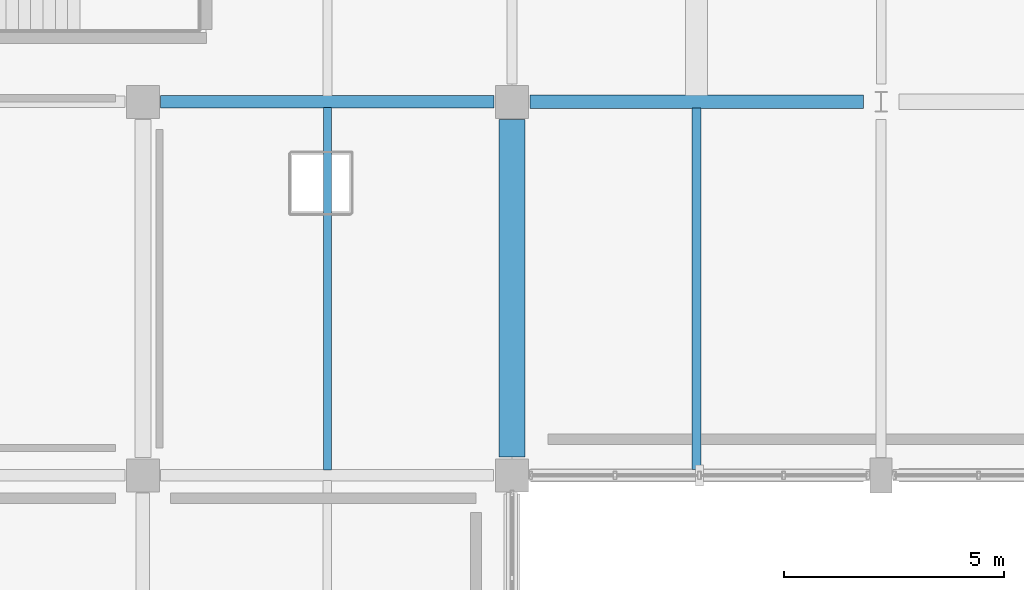
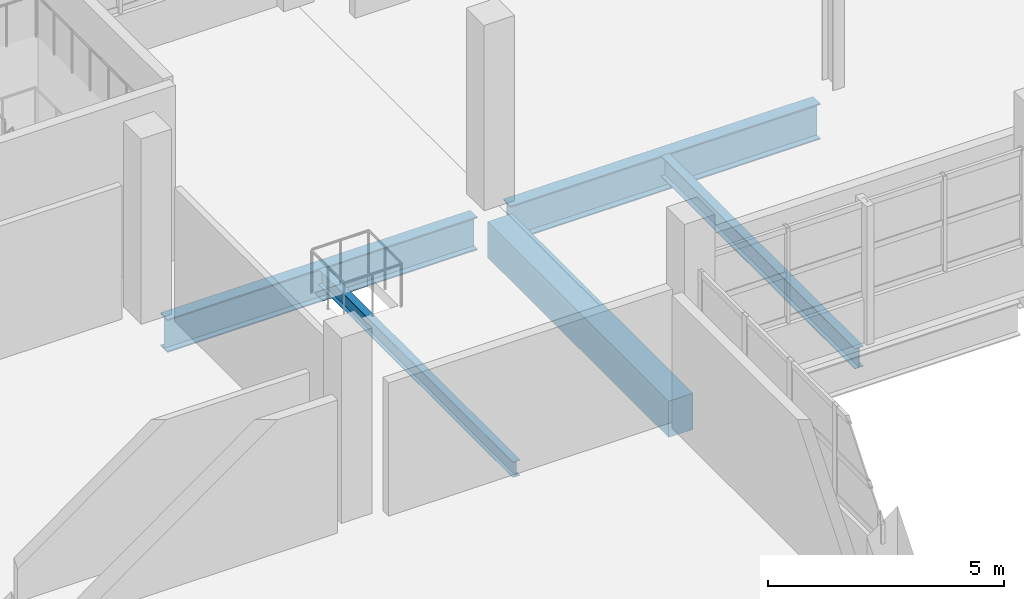
# One storey, part 39 of 117: 5 beams.
"""IFC4 building model written with IfcOpenShell, lengths in metres."""

from ifc_helpers import new_model, si_unit, direction, frame, origin, origin_2d, place, context, subcontext, project, spatial, rectangle, i_section, extrude, material, material_profile, profile_set, type_object, element, save


model = new_model("IFC4")

# Units and contexts
model_context = context("Model", 3, precision=1e-05, world=origin(), true_north=direction((0.0, 1.0)))
body_context = subcontext(model_context, "Body", "Model", "MODEL_VIEW")
ifc_project = project(units=[si_unit("LENGTHUNIT", "METRE"), si_unit("AREAUNIT", "SQUARE_METRE"), si_unit("VOLUMEUNIT", "CUBIC_METRE"), si_unit("PLANEANGLEUNIT", "RADIAN"), si_unit("MASSUNIT", "GRAM", prefix="KILO")], contexts=[model_context])

# Site, building, storey
site_placement = place(None, origin())
site = spatial("IfcSite", under=ifc_project, at=site_placement, CompositionType="ELEMENT")
building_placement = place(site_placement, origin())
building = spatial("IfcBuilding", under=site, at=building_placement, Name="Solvento Point Concert Hall", CompositionType="ELEMENT")
storey_placement = place(building_placement, frame((0.0, 0.0, 5.39990234375)))
storey = spatial("IfcBuildingStorey", under=building, at=storey_placement, Name="L01", CompositionType="ELEMENT", Elevation=5.39990234375)

# Beams
ifc_material_1 = material(Name="Structural Steel ASTM A992 Grade 50", Category="steel")
ifc_material_profile_1 = material_profile(ifc_material_1, i_section(OverallWidth=0.20947265625, OverallDepth=0.532958984375, WebThickness=0.01025390625, FlangeThickness=0.015625, at=origin_2d()), Name="W21X62")
ifc_profile_set_1 = profile_set([ifc_material_profile_1], Name="Structural Steel ASTM A992 Grade 50")
beam_type_1 = type_object("IfcBeamType", Name="Beam_W21X62", PredefinedType="BEAM", material=ifc_profile_set_1)
beam_1_placement = place(storey_placement, frame((28.199951171875, 119.131103515625, -0.55029296875), z_axis=(0.0, 1.0, 0.0), x_axis=(-1.0, 0.0, 0.0)))
element("IfcBeam", 1, at=beam_1_placement, inside=storey, type_object=beam_type_1, Name="Secondary floor joist B-25 L01", PredefinedType="BEAM", context=body_context, shape_type="SweptSolid", body=[
    extrude(i_section(OverallWidth=0.20947265625, OverallDepth=0.532958984375, WebThickness=0.01025390625, FlangeThickness=0.015625, at=origin_2d()), origin(), (0.0, 0.0, 1.0), 8.22998046875),
])
ifc_material_2 = material(Name="Concrete C35/45", Category="concrete")
ifc_material_profile_2 = material_profile(ifc_material_2, rectangle(XDim=0.60009765625, YDim=0.93994140625, at=origin_2d()), Name="RC-BM-600X940")
ifc_profile_set_2 = profile_set([ifc_material_profile_2], Name="Concrete C35/45")
beam_type_2 = type_object("IfcBeamType", Name="Girder_RC_600x940", PredefinedType="USERDEFINED", material=ifc_profile_set_2)
beam_2_placement = place(storey_placement, frame((24.0, 119.4189453125, -0.75390625), z_axis=(0.0, 1.0, 0.0), x_axis=(-1.0, 0.0, 0.0)))
element("IfcBeam", 2, at=beam_2_placement, inside=storey, type_object=beam_type_2, Name="Primary girder B-34 L01", ObjectType="GIRDER", PredefinedType="USERDEFINED", context=body_context, shape_type="SweptSolid", body=[
    extrude(rectangle(XDim=0.60009765625, YDim=0.93994140625, at=origin_2d()), origin(), (0.0, 0.0, 1.0), 7.677001953125),
])
ifc_material_3 = material(Name="Structural Steel ASTM A992 Grade 50", Category="steel")
ifc_material_profile_3 = material_profile(ifc_material_3, i_section(OverallWidth=0.2919921875, OverallDepth=0.85888671875, WebThickness=0.01708984375, FlangeThickness=0.031005859375, at=origin_2d()), Name="W33X169")
ifc_profile_set_3 = profile_set([ifc_material_profile_3], Name="Structural Steel ASTM A992 Grade 50")
beam_type_3 = type_object("IfcBeamType", Name="Girder_W33X169", PredefinedType="USERDEFINED", material=ifc_profile_set_3)
beam_3_placement = place(storey_placement, frame((16.00390625, 127.5, -0.71337890625), z_axis=(1.0, 0.0, 0.0), x_axis=(0.0, 1.0, 0.0)))
element("IfcBeam", 3, at=beam_3_placement, inside=storey, type_object=beam_type_3, Name="Primary girder B-33 L01", ObjectType="GIRDER", PredefinedType="USERDEFINED", context=body_context, shape_type="SweptSolid", body=[
    extrude(i_section(OverallWidth=0.2919921875, OverallDepth=0.85888671875, WebThickness=0.01708984375, FlangeThickness=0.031005859375, at=origin_2d()), origin(), (0.0, 0.0, 1.0), 7.592041015625),
])
ifc_material_4 = material(Name="Structural Steel ASTM A992 Grade 50", Category="steel")
ifc_material_profile_4 = material_profile(ifc_material_4, i_section(OverallWidth=0.3076171875, OverallDepth=0.927001953125, WebThickness=0.019287109375, FlangeThickness=0.031982421875, at=origin_2d()), Name="W36X194")
ifc_profile_set_4 = profile_set([ifc_material_profile_4], Name="Structural Steel ASTM A992 Grade 50")
beam_type_4 = type_object("IfcBeamType", Name="Girder_W36X194", PredefinedType="USERDEFINED", material=ifc_profile_set_4)
beam_4_placement = place(storey_placement, frame((24.404052734375, 127.5, -0.747314453125), z_axis=(1.0, 0.0, 0.0), x_axis=(0.0, 1.0, 0.0)))
element("IfcBeam", 4, at=beam_4_placement, inside=storey, type_object=beam_type_4, Name="Primary girder B-61 L01", ObjectType="GIRDER", PredefinedType="USERDEFINED", context=body_context, shape_type="SweptSolid", body=[
    extrude(i_section(OverallWidth=0.3076171875, OverallDepth=0.927001953125, WebThickness=0.019287109375, FlangeThickness=0.031982421875, at=origin_2d()), origin(), (0.0, 0.0, 1.0), 7.592041015625),
])
ifc_material_5 = material(Name="Structural Steel ASTM A992 Grade 50", Category="steel")
ifc_material_profile_5 = material_profile(ifc_material_5, i_section(OverallWidth=0.177490234375, OverallDepth=0.403076171875, WebThickness=0.007568359375, FlangeThickness=0.010986328125, at=origin_2d()), Name="W16X36")
ifc_profile_set_5 = profile_set([ifc_material_profile_5], Name="Structural Steel ASTM A992 Grade 50")
beam_type_5 = type_object("IfcBeamType", Name="Joist_W16X36", PredefinedType="JOIST", material=ifc_profile_set_5)
beam_5_placement = place(storey_placement, frame((19.800048828125, 119.118896484375, -0.4853515625), z_axis=(0.0, 1.0, 0.0), x_axis=(-1.0, 0.0, 0.0)))
element("IfcBeam", 5, at=beam_5_placement, inside=storey, type_object=beam_type_5, Name="Secondary floor joist B-30 L01", PredefinedType="JOIST", context=body_context, shape_type="SweptSolid", body=[
    extrude(i_section(OverallWidth=0.177490234375, OverallDepth=0.403076171875, WebThickness=0.007568359375, FlangeThickness=0.010986328125, at=origin_2d()), origin(), (0.0, 0.0, 1.0), 8.25),
])

save(model, "model.ifc")
